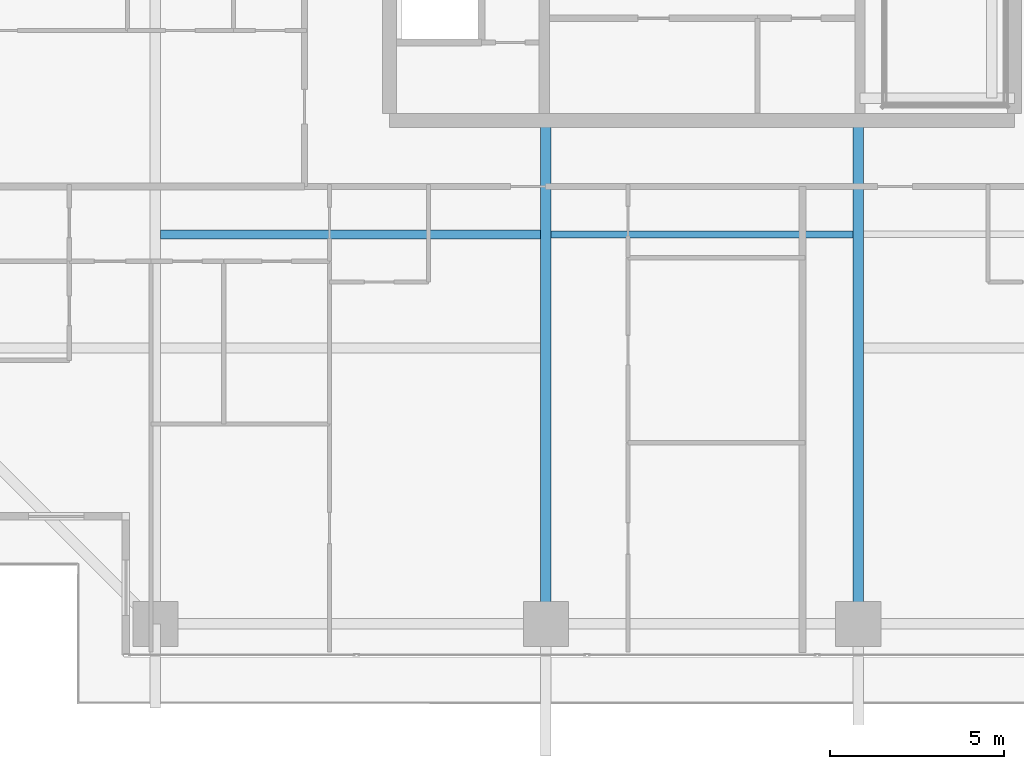
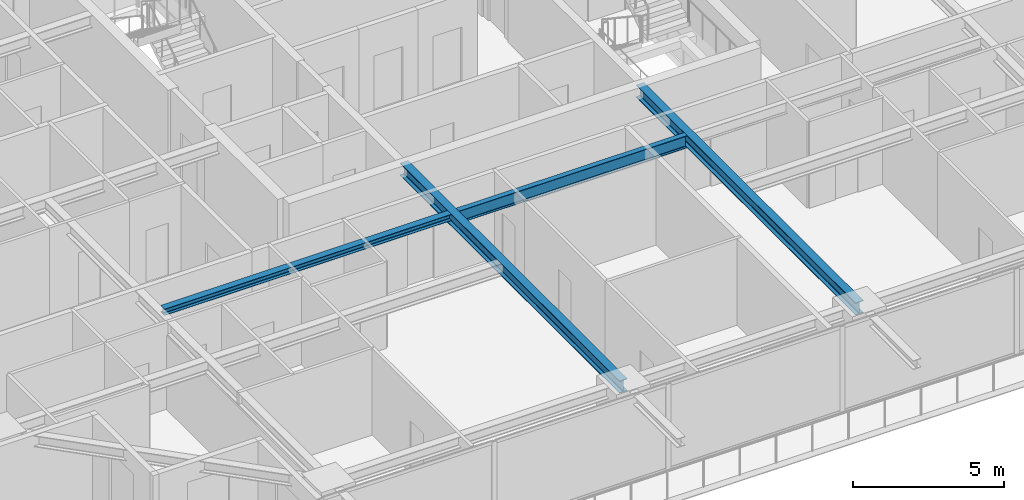
# One storey, part 7 of 37: 4 beams.
"""IFC4 building model written with IfcOpenShell, lengths in metres."""

from ifc_helpers import new_model, si_unit, direction, frame, origin, origin_2d, place, context, subcontext, project, spatial, i_section, extrude, source, transform, mapped, material, material_profile, profile_set, type_object, element, save


model = new_model("IFC4")

# Units and contexts
model_context = context("Model", 3, precision=1e-05, world=origin(), true_north=direction((0.0, 1.0)))
body_context = subcontext(model_context, "Body", "Model", "MODEL_VIEW")
ifc_project = project(units=[si_unit("LENGTHUNIT", "METRE"), si_unit("AREAUNIT", "SQUARE_METRE"), si_unit("VOLUMEUNIT", "CUBIC_METRE"), si_unit("PLANEANGLEUNIT", "RADIAN"), si_unit("MASSUNIT", "GRAM", prefix="KILO")], contexts=[model_context])

# Site, building, storey
site_placement = place(None, origin())
site = spatial("IfcSite", under=ifc_project, at=site_placement, CompositionType="ELEMENT")
building_placement = place(site_placement, origin())
building = spatial("IfcBuilding", under=site, at=building_placement, Name="Serunith Strait Residences", CompositionType="ELEMENT")
storey_placement = place(building_placement, frame((0.0, 0.0, 153.89990234375)))
storey = spatial("IfcBuildingStorey", under=building, at=storey_placement, Name="L38", CompositionType="ELEMENT", Elevation=153.89990234375)

# Beams
ifc_material = material(Name="Steel S355J2", Category="steel")
ifc_material_profile_1 = material_profile(ifc_material, i_section(OverallWidth=0.199951171875, OverallDepth=0.5, WebThickness=0.01025390625, FlangeThickness=0.01611328125, FilletRadius=0.02099609375, at=origin_2d()), Name="IPE 500")
ifc_profile_set_1 = profile_set([ifc_material_profile_1], Name="Steel S355J2")
beam_type_1 = type_object("IfcBeamType", Name="BM-IPE500", PredefinedType="JOIST", material=ifc_profile_set_1)
shared_shape_1 = source(origin(), body_context, "Body", "SweptSolid", [
    extrude(i_section(OverallWidth=0.199951171875, OverallDepth=0.5, WebThickness=0.01025390625, FlangeThickness=0.01611328125, FilletRadius=0.02099609375, at=origin_2d()), origin(), (0.0, 0.0, 1.0), 8.699951171875),
])
beam_1_placement = place(storey_placement, frame((28.050048828125, 13.52490234375, 3.237060546875), z_axis=(1.0, 0.0, 0.0), x_axis=(0.0, 1.0, 0.0)))
element("IfcBeam", 1, at=beam_1_placement, inside=storey, type_object=beam_type_1, Name="L38 Composite Floor Joist 02", PredefinedType="JOIST", context=body_context, shape_type="MappedRepresentation", body=[
    mapped(shared_shape_1, transform((0.0, 0.0, 0.0), scale=1.0)),
])
ifc_material_profile_2 = material_profile(ifc_material, i_section(OverallWidth=0.300048828125, OverallDepth=0.5, WebThickness=0.014404296875, FlangeThickness=0.028076171875, FilletRadius=0.027099609375, at=origin_2d()), Name="HEB 500")
ifc_profile_set_2 = profile_set([ifc_material_profile_2], Name="Steel S355J2")
beam_type_2 = type_object("IfcBeamType", Name="BM-HEB500", PredefinedType="BEAM", material=ifc_profile_set_2)
shared_shape_2 = source(origin(), body_context, "Body", "SweptSolid", [
    extrude(i_section(OverallWidth=0.300048828125, OverallDepth=0.5, WebThickness=0.014404296875, FlangeThickness=0.028076171875, FilletRadius=0.027099609375, at=origin_2d()), origin(), (0.0, 0.0, 1.0), 14.5),
])
for number, where, z_axis, x_axis, name in (
    (2, (27.89990234375, 16.800048828125, 3.237060546875), (0.0, -1.0, 0.0), (1.0, 0.0, 0.0), "L38 Primary Floor Girder TC-S2"),
    (3, (36.89990234375, 16.800048828125, 3.237060546875), (0.0, -1.0, 0.0), (1.0, 0.0, 0.0), "L38 Primary Floor Girder TC-S3"),
):
    element("IfcBeam", number, at=place(storey_placement, frame(where, z_axis=z_axis, x_axis=x_axis)), inside=storey, type_object=beam_type_2, Name=name, PredefinedType="BEAM", context=body_context, shape_type="MappedRepresentation", body=[
        mapped(shared_shape_2, transform((0.0, 0.0, 0.0), scale=1.0)),
    ])
ifc_material_profile_3 = material_profile(ifc_material, i_section(OverallWidth=0.260009765625, OverallDepth=0.260009765625, WebThickness=0.010009765625, FlangeThickness=0.017578125, FilletRadius=0.02392578125, at=origin_2d()), Name="HEB 260")
ifc_profile_set_3 = profile_set([ifc_material_profile_3], Name="Steel S355J2")
beam_type_3 = type_object("IfcBeamType", Name="BM-HEB260", PredefinedType="JOIST", material=ifc_profile_set_3)
shared_shape_3 = source(origin(), body_context, "Body", "SweptSolid", [
    extrude(i_section(OverallWidth=0.260009765625, OverallDepth=0.260009765625, WebThickness=0.010009765625, FlangeThickness=0.017578125, FilletRadius=0.02392578125, at=origin_2d()), origin(), (0.0, 0.0, 1.0), 10.949951171875),
])
beam_2_placement = place(storey_placement, frame((16.800048828125, 13.52490234375, 3.357177734375), z_axis=(1.0, 0.0, 0.0), x_axis=(0.0, 1.0, 0.0)))
element("IfcBeam", 4, at=beam_2_placement, inside=storey, type_object=beam_type_3, Name="L38 Composite Floor Joist 01", PredefinedType="JOIST", context=body_context, shape_type="MappedRepresentation", body=[
    mapped(shared_shape_3, transform((0.0, 0.0, 0.0), scale=1.0)),
])

save(model, "model.ifc")
